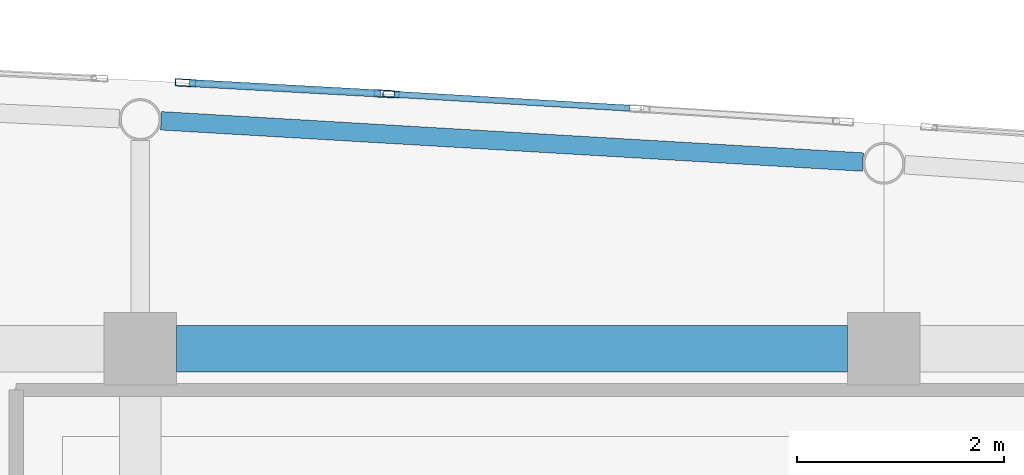
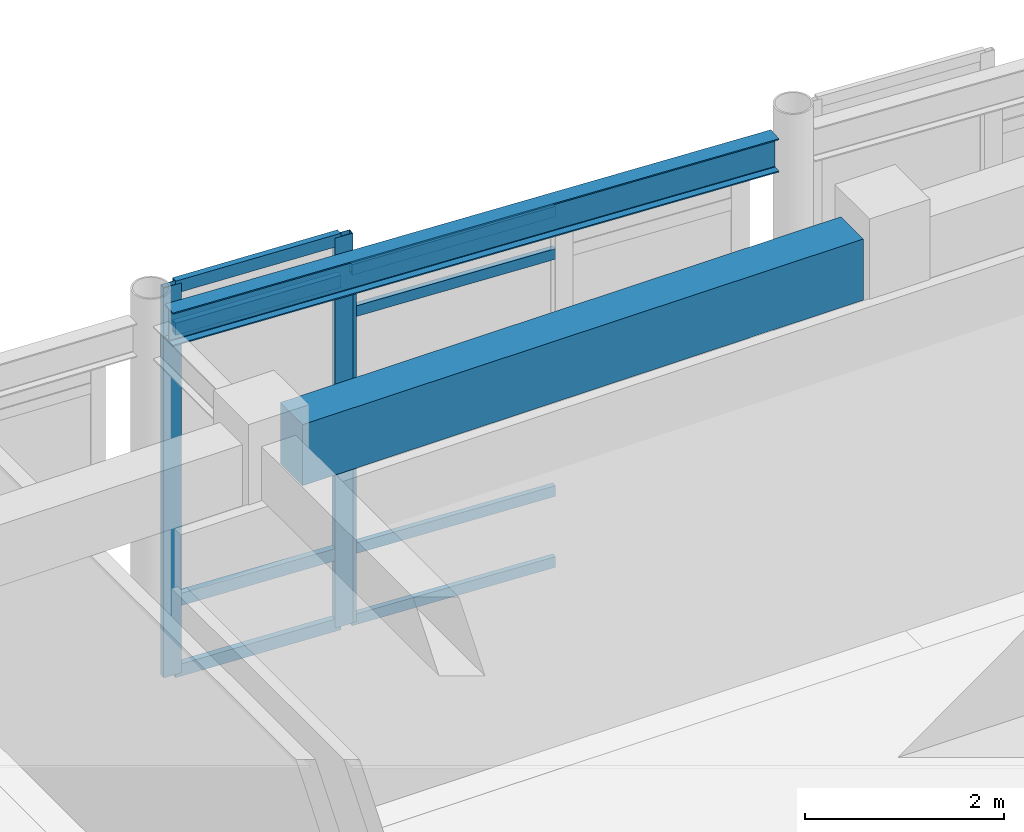
# One storey, part 54 of 117: 11 members, 2 beams, 2 elements without a shape of their own.
"""IFC4 building model written with IfcOpenShell, lengths in metres."""

from ifc_helpers import new_model, si_unit, direction, frame, origin, origin_2d, place, context, subcontext, project, spatial, rectangle, hollow_rectangle, i_section, extrude, material, layer, layer_set, material_profile, profile_set, type_object, element, aggregate, save


model = new_model("IFC4")

# Units and contexts
model_context = context("Model", 3, precision=1e-05, world=origin(), true_north=direction((0.0, 1.0)))
body_context = subcontext(model_context, "Body", "Model", "MODEL_VIEW")
ifc_project = project(units=[si_unit("LENGTHUNIT", "METRE"), si_unit("AREAUNIT", "SQUARE_METRE"), si_unit("VOLUMEUNIT", "CUBIC_METRE"), si_unit("PLANEANGLEUNIT", "RADIAN"), si_unit("MASSUNIT", "GRAM", prefix="KILO")], contexts=[model_context])

# Site, building, storey
site_placement = place(None, origin())
site = spatial("IfcSite", under=ifc_project, at=site_placement, CompositionType="ELEMENT")
building_placement = place(site_placement, origin())
building = spatial("IfcBuilding", under=site, at=building_placement, Name="Carrowvane Square Congress Hotel", CompositionType="ELEMENT")
storey_placement = place(building_placement, frame((0.0, 0.0, 5.39990234375)))
storey = spatial("IfcBuildingStorey", under=building, at=storey_placement, Name="L01", CompositionType="ELEMENT", Elevation=5.39990234375)

# Beams
ifc_material_1 = material(Name="Concrete C35/45", Category="concrete")
ifc_material_profile_1 = material_profile(ifc_material_1, rectangle(XDim=0.449951171875, YDim=0.75, at=origin_2d()), Name="RC 450x750")
ifc_profile_set_1 = profile_set([ifc_material_profile_1], Name="Concrete C35/45")
beam_type_1 = type_object("IfcBeamType", Name="BM-RC-450x750", PredefinedType="USERDEFINED", material=ifc_profile_set_1)
beam_1_placement = place(storey_placement, frame((119.949951171875, 113.39990234375, 4.405029296875), z_axis=(1.0, 0.0, 0.0), x_axis=(0.0, 1.0, 0.0)))
element("IfcBeam", 1, at=beam_1_placement, inside=storey, type_object=beam_type_1, Name="L02 girder R/16-17", ObjectType="GIRDER", PredefinedType="USERDEFINED", context=body_context, shape_type="SweptSolid", body=[
    extrude(rectangle(XDim=0.449951171875, YDim=0.75, at=origin_2d()), origin(), (0.0, 0.0, 1.0), 6.5),
])
ifc_material_2 = material(Name="Steel S355", Category="steel")
ifc_material_profile_2 = material_profile(ifc_material_2, i_section(OverallWidth=0.1787109375, OverallDepth=0.409423828125, WebThickness=0.0087890625, FlangeThickness=0.014404296875, FilletRadius=0.01025390625, at=origin_2d()), Name="UKB 406x178x67")
ifc_profile_set_2 = profile_set([ifc_material_profile_2], Name="Steel S355")
beam_type_2 = type_object("IfcBeamType", Name="BM-ST-UKB406", PredefinedType="BEAM", material=ifc_profile_set_2)
beam_2_placement = place(storey_placement, frame((119.802734375, 115.605712890625, 4.575439453125), z_axis=(0.998276598904, -0.058684172325, 0.0), x_axis=(0.058684172325, 0.998276598904, 0.0)))
element("IfcBeam", 2, at=beam_2_placement, inside=storey, type_object=beam_type_2, Name="L02 curved north spandrel", PredefinedType="BEAM", context=body_context, shape_type="SweptSolid", body=[
    extrude(i_section(OverallWidth=0.1787109375, OverallDepth=0.409423828125, WebThickness=0.0087890625, FlangeThickness=0.014404296875, FilletRadius=0.01025390625, at=origin_2d()), origin(), (0.0, 0.0, 1.0), 6.80615234375),
])

# Curtain wall, member
ifc_material_3 = material(Name="Anodised aluminium", Category="aluminium")
ifc_layer_1 = layer(ifc_material_3, 0.18603515625)
ifc_layer_set_1 = layer_set([ifc_layer_1], Name="Anodised aluminium")
curtain_wall_type_1 = type_object("IfcCurtainWallType", Name="CW-SYS-3", PredefinedType="NOTDEFINED", material=ifc_layer_set_1)
curtain_wall_1_placement = place(storey_placement, origin())
curtain_wall_1 = element("IfcCurtainWall", 3, at=curtain_wall_1_placement, inside=storey, type_object=curtain_wall_type_1, Name="L01 unitised curtain wall 98", PredefinedType="NOTDEFINED")
ifc_material_4 = material(Name="Anodised aluminium", Category="aluminium")
ifc_material_profile_3 = material_profile(ifc_material_4, hollow_rectangle(XDim=0.06005859375, YDim=0.159912109375, WallThickness=0.00390625, at=origin_2d()), Name="CW-ML 60x160x4")
ifc_profile_set_3 = profile_set([ifc_material_profile_3], Name="Anodised aluminium")
member_type_1 = type_object("IfcMemberType", Name="CW-MUL-1", PredefinedType="MULLION", material=ifc_profile_set_3)
member_1_placement = place(storey_placement, frame((122.030029296875, 115.864013671875, 0.0), z_axis=(0.0, 0.0, 1.0), x_axis=(0.058851249486, 0.998266763162, 0.0)))
member_1 = element("IfcMember", 4, at=member_1_placement, type_object=member_type_1, Name="CW-3 mullion 1", PredefinedType="MULLION", context=body_context, shape_type="SweptSolid", body=[
    extrude(hollow_rectangle(XDim=0.06005859375, YDim=0.159912109375, WallThickness=0.00390625, at=origin_2d()), origin(), (0.0, 0.0, 1.0), 4.355712890625),
])

# Curtain wall, members
ifc_material_5 = material(Name="Anodised aluminium", Category="aluminium")
ifc_layer_2 = layer(ifc_material_5, 0.174072265625)
ifc_layer_set_2 = layer_set([ifc_layer_2], Name="Anodised aluminium")
curtain_wall_type_2 = type_object("IfcCurtainWallType", Name="CW-SYS-2", PredefinedType="NOTDEFINED", material=ifc_layer_set_2)
curtain_wall_2_placement = place(storey_placement, origin())
curtain_wall_2 = element("IfcCurtainWall", 5, at=curtain_wall_2_placement, inside=storey, type_object=curtain_wall_type_2, Name="L01 unitised curtain wall 97", PredefinedType="NOTDEFINED")
ifc_material_6 = material(Name="Anodised aluminium", Category="aluminium")
ifc_material_profile_4 = material_profile(ifc_material_6, hollow_rectangle(XDim=0.070068359375, YDim=0.199951171875, WallThickness=0.0048828125, at=origin_2d()), Name="CW-ML 70x200x5")
ifc_profile_set_4 = profile_set([ifc_material_profile_4], Name="Anodised aluminium")
member_type_2 = type_object("IfcMemberType", Name="CW-MUL-2", PredefinedType="MULLION", material=ifc_profile_set_4)
member_2_placement = place(storey_placement, frame((120.03955078125, 115.973388671875, 0.0), z_axis=(0.0, 0.0, 1.0), x_axis=(0.054815980317, 0.998496473856, 0.0)))
member_2 = element("IfcMember", 6, at=member_2_placement, type_object=member_type_2, Name="CW-2 mullion 1", PredefinedType="MULLION", context=body_context, shape_type="SweptSolid", body=[
    extrude(hollow_rectangle(XDim=0.070068359375, YDim=0.199951171875, WallThickness=0.0048828125, at=origin_2d()), origin(), (0.0, 0.0, 1.0), 4.780029296875),
])
member_3_placement = place(storey_placement, frame((121.965087890625, 115.86767578125, 0.0), z_axis=(0.0, 0.0, 1.0), x_axis=(0.054815980317, 0.998496473856, 0.0)))
member_3 = element("IfcMember", 7, at=member_3_placement, type_object=member_type_2, Name="CW-2 mullion 2", PredefinedType="MULLION", context=body_context, shape_type="SweptSolid", body=[
    extrude(hollow_rectangle(XDim=0.070068359375, YDim=0.199951171875, WallThickness=0.0048828125, at=origin_2d()), origin(), (0.0, 0.0, 1.0), 4.780029296875),
])

# Member
ifc_material_7 = material(Name="Anodised aluminium", Category="aluminium")
ifc_material_profile_5 = material_profile(ifc_material_7, hollow_rectangle(XDim=0.06005859375, YDim=0.1298828125, WallThickness=0.00390625, at=origin_2d()), Name="CW-TR 60x130x4")
ifc_profile_set_5 = profile_set([ifc_material_profile_5], Name="Anodised aluminium")
member_type_3 = type_object("IfcMemberType", Name="CW-TRN-1", PredefinedType="USERDEFINED", material=ifc_profile_set_5)
member_4_placement = place(storey_placement, frame((122.059814453125, 115.8623046875, 0.030029296875), z_axis=(0.998264407893, -0.058891187232, 0.0), x_axis=(0.058891187232, 0.998264407893, 0.0)))
member_4 = element("IfcMember", 8, at=member_4_placement, type_object=member_type_3, Name="CW-3 transom 1.1", ObjectType="TRANSOM", PredefinedType="USERDEFINED", context=body_context, shape_type="SweptSolid", body=[
    extrude(hollow_rectangle(XDim=0.06005859375, YDim=0.1298828125, WallThickness=0.00390625, at=origin_2d()), origin(), (0.0, 0.0, 1.0), 2.2841796875),
])

member_5_placement = place(storey_placement, frame((122.059814453125, 115.8623046875, 0.900146484375), z_axis=(0.998264407893, -0.058891187232, 0.0), x_axis=(0.058891187232, 0.998264407893, 0.0)))
member_5 = element("IfcMember", 9, at=member_5_placement, type_object=member_type_3, Name="CW-3 transom 1.2", ObjectType="TRANSOM", PredefinedType="USERDEFINED", context=body_context, shape_type="SweptSolid", body=[
    extrude(hollow_rectangle(XDim=0.06005859375, YDim=0.1298828125, WallThickness=0.00390625, at=origin_2d()), origin(), (0.0, 0.0, 1.0), 2.2841796875),
])

member_6_placement = place(storey_placement, frame((122.059814453125, 115.8623046875, 3.8056640625), z_axis=(0.998264407893, -0.058891187232, 0.0), x_axis=(0.058891187232, 0.998264407893, 0.0)))
member_6 = element("IfcMember", 10, at=member_6_placement, type_object=member_type_3, Name="CW-3 transom 1.3", ObjectType="TRANSOM", PredefinedType="USERDEFINED", context=body_context, shape_type="SweptSolid", body=[
    extrude(hollow_rectangle(XDim=0.06005859375, YDim=0.1298828125, WallThickness=0.00390625, at=origin_2d()), origin(), (0.0, 0.0, 1.0), 2.2841796875),
])

member_7_placement = place(storey_placement, frame((122.059814453125, 115.8623046875, 4.32568359375), z_axis=(0.998264407893, -0.058891187232, 0.0), x_axis=(0.058891187232, 0.998264407893, 0.0)))
member_7 = element("IfcMember", 11, at=member_7_placement, type_object=member_type_3, Name="CW-3 transom 1.4", ObjectType="TRANSOM", PredefinedType="USERDEFINED", context=body_context, shape_type="SweptSolid", body=[
    extrude(hollow_rectangle(XDim=0.06005859375, YDim=0.1298828125, WallThickness=0.00390625, at=origin_2d()), origin(), (0.0, 0.0, 1.0), 2.2841796875),
])

aggregate(curtain_wall_1, [member_1, member_4, member_5, member_6, member_7])

ifc_material_8 = material(Name="Anodised aluminium", Category="aluminium")
ifc_material_profile_6 = material_profile(ifc_material_8, hollow_rectangle(XDim=0.070068359375, YDim=0.14990234375, WallThickness=0.0048828125, at=origin_2d()), Name="CW-TR 70x150x5")
ifc_profile_set_6 = profile_set([ifc_material_profile_6], Name="Anodised aluminium")
member_type_4 = type_object("IfcMemberType", Name="CW-TRN-2", PredefinedType="USERDEFINED", material=ifc_profile_set_6)
member_8_placement = place(storey_placement, frame((120.074462890625, 115.971435546875, 0.03515625), z_axis=(0.998498512711, -0.054778829075, 0.0), x_axis=(0.054778829075, 0.998498512711, 0.0)))
member_8 = element("IfcMember", 12, at=member_8_placement, type_object=member_type_4, Name="CW-2 transom 1.1", ObjectType="TRANSOM", PredefinedType="USERDEFINED", context=body_context, shape_type="SweptSolid", body=[
    extrude(hollow_rectangle(XDim=0.070068359375, YDim=0.14990234375, WallThickness=0.0048828125, at=origin_2d()), origin(), (0.0, 0.0, 1.0), 1.8583984375),
])

member_9_placement = place(storey_placement, frame((120.074462890625, 115.971435546875, 0.900146484375), z_axis=(0.998498512711, -0.054778829075, 0.0), x_axis=(0.054778829075, 0.998498512711, 0.0)))
member_9 = element("IfcMember", 13, at=member_9_placement, type_object=member_type_4, Name="CW-2 transom 1.2", ObjectType="TRANSOM", PredefinedType="USERDEFINED", context=body_context, shape_type="SweptSolid", body=[
    extrude(hollow_rectangle(XDim=0.070068359375, YDim=0.14990234375, WallThickness=0.0048828125, at=origin_2d()), origin(), (0.0, 0.0, 1.0), 1.8583984375),
])

member_10_placement = place(storey_placement, frame((120.074462890625, 115.971435546875, 4.22998046875), z_axis=(0.998498512711, -0.054778829075, 0.0), x_axis=(0.054778829075, 0.998498512711, 0.0)))
member_10 = element("IfcMember", 14, at=member_10_placement, type_object=member_type_4, Name="CW-2 transom 1.3", ObjectType="TRANSOM", PredefinedType="USERDEFINED", context=body_context, shape_type="SweptSolid", body=[
    extrude(hollow_rectangle(XDim=0.070068359375, YDim=0.14990234375, WallThickness=0.0048828125, at=origin_2d()), origin(), (0.0, 0.0, 1.0), 1.8583984375),
])

member_11_placement = place(storey_placement, frame((120.074462890625, 115.971435546875, 4.7451171875), z_axis=(0.998498512711, -0.054778829075, 0.0), x_axis=(0.054778829075, 0.998498512711, 0.0)))
member_11 = element("IfcMember", 15, at=member_11_placement, type_object=member_type_4, Name="CW-2 transom 1.4", ObjectType="TRANSOM", PredefinedType="USERDEFINED", context=body_context, shape_type="SweptSolid", body=[
    extrude(hollow_rectangle(XDim=0.070068359375, YDim=0.14990234375, WallThickness=0.0048828125, at=origin_2d()), origin(), (0.0, 0.0, 1.0), 1.8583984375),
])

aggregate(curtain_wall_2, [member_2, member_3, member_8, member_9, member_10, member_11])

save(model, "model.ifc")
